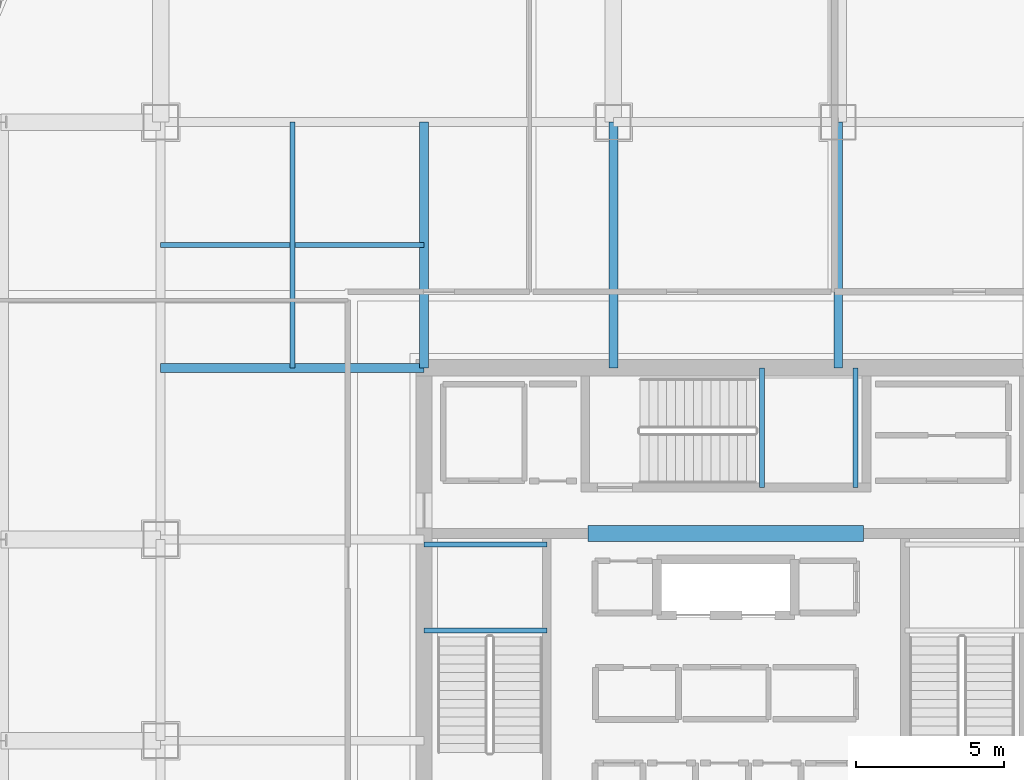
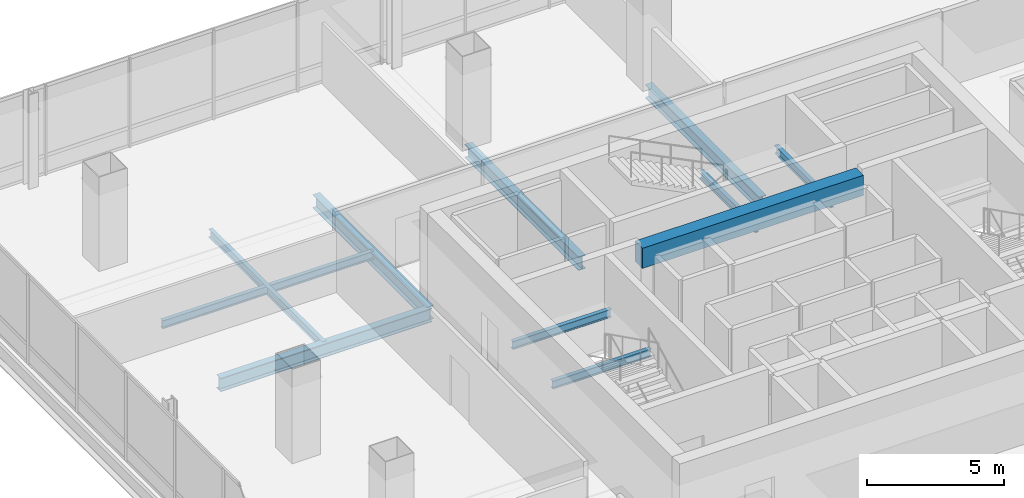
# One storey, part 14 of 41: 11 beams.
"""IFC4 building model written with IfcOpenShell, lengths in metres."""

from ifc_helpers import new_model, si_unit, direction, frame, origin, origin_2d, place, context, subcontext, project, spatial, rectangle, i_section, extrude, material, material_profile, profile_set, type_object, element, save


model = new_model("IFC4")

# Units and contexts
model_context = context("Model", 3, precision=1e-05, world=origin(), true_north=direction((0.0, 1.0)))
body_context = subcontext(model_context, "Body", "Model", "MODEL_VIEW")
ifc_project = project(units=[si_unit("LENGTHUNIT", "METRE"), si_unit("AREAUNIT", "SQUARE_METRE"), si_unit("VOLUMEUNIT", "CUBIC_METRE"), si_unit("PLANEANGLEUNIT", "RADIAN"), si_unit("MASSUNIT", "GRAM", prefix="KILO")], contexts=[model_context])

# Site, building, storey
site_placement = place(None, origin())
site = spatial("IfcSite", under=ifc_project, at=site_placement, CompositionType="ELEMENT")
building_placement = place(site_placement, origin())
building = spatial("IfcBuilding", under=site, at=building_placement, Name="Punatoya Terracotta Tower", CompositionType="ELEMENT")
storey_placement = place(building_placement, frame((0.0, 0.0, 288.0)))
storey = spatial("IfcBuildingStorey", under=building, at=storey_placement, Name="L68", CompositionType="ELEMENT", Elevation=288.0)

# Beams
ifc_material_1 = material(Name="Steel S355", Category="steel")
ifc_material_profile_1 = material_profile(ifc_material_1, i_section(OverallWidth=0.300048828125, OverallDepth=0.60009765625, WebThickness=0.015380859375, FlangeThickness=0.030029296875, FilletRadius=0.01806640625, at=origin_2d()))
ifc_profile_set_1 = profile_set([ifc_material_profile_1], Name="Steel S355")
beam_type_1 = type_object("IfcBeamType", Name="BM-PRI-600", PredefinedType="BEAM", material=ifc_profile_set_1)
beam_1_placement = place(storey_placement, frame((-19.10009765625, 9.199951171875, -0.5), z_axis=(1.0, 0.0, 0.0), x_axis=(0.0, 1.0, 0.0)))
element("IfcBeam", 1, at=beam_1_placement, inside=storey, type_object=beam_type_1, Name="BM-L68-PR-WN", PredefinedType="BEAM", context=body_context, shape_type="SweptSolid", body=[
    extrude(i_section(OverallWidth=0.300048828125, OverallDepth=0.60009765625, WebThickness=0.015380859375, FlangeThickness=0.030029296875, FilletRadius=0.01806640625, at=origin_2d()), origin(), (0.0, 0.0, 1.0), 8.900146484375),
])
for number, where, z_axis, x_axis, name in (
    (2, (-10.199951171875, 9.199951171875, -0.5), (0.0, 1.0, 0.0), (-1.0, 0.0, 0.0), "BM-L68-PR-N1"),
    (3, (-3.800048828125, 9.199951171875, -0.5), (0.0, 1.0, 0.0), (-1.0, 0.0, 0.0), "BM-L68-PR-N2"),
    (4, (3.800048828125, 9.199951171875, -0.5), (0.0, 1.0, 0.0), (-1.0, 0.0, 0.0), "BM-L68-PR-N3"),
):
    element("IfcBeam", number, at=place(storey_placement, frame(where, z_axis=z_axis, x_axis=x_axis)), inside=storey, type_object=beam_type_1, Name=name, PredefinedType="BEAM", context=body_context, shape_type="SweptSolid", body=[
        extrude(i_section(OverallWidth=0.300048828125, OverallDepth=0.60009765625, WebThickness=0.015380859375, FlangeThickness=0.030029296875, FilletRadius=0.01806640625, at=origin_2d()), origin(), (0.0, 0.0, 1.0), 8.300048828125),
    ])
ifc_material_2 = material(Name="Concrete C50/60", Category="concrete")
ifc_material_profile_2 = material_profile(ifc_material_2, rectangle(XDim=0.550048828125, YDim=0.89990234375, at=origin_2d()))
ifc_profile_set_2 = profile_set([ifc_material_profile_2], Name="Concrete C50/60")
beam_type_2 = type_object("IfcBeamType", Name="BM-RC-900", PredefinedType="LINTEL", material=ifc_profile_set_2)
beam_2_placement = place(storey_placement, frame((-4.64990234375, 3.60009765625, 3.550048828125), z_axis=(1.0, 0.0, 0.0), x_axis=(0.0, 1.0, 0.0)))
element("IfcBeam", 5, at=beam_2_placement, inside=storey, type_object=beam_type_2, Name="L68 Core Coupling Lintel CNW", PredefinedType="LINTEL", context=body_context, shape_type="SweptSolid", body=[
    extrude(rectangle(XDim=0.550048828125, YDim=0.89990234375, at=origin_2d()), origin(), (0.0, 0.0, 1.0), 9.2998046875),
])
ifc_material_profile_3 = material_profile(ifc_material_1, i_section(OverallWidth=0.169921875, OverallDepth=0.360107421875, WebThickness=0.008056640625, FlangeThickness=0.0126953125, FilletRadius=0.01806640625, at=origin_2d()))
ifc_profile_set_3 = profile_set([ifc_material_profile_3], Name="Steel S355")
beam_type_3 = type_object("IfcBeamType", Name="BM-SEC-360", PredefinedType="JOIST", material=ifc_profile_set_3)
beam_3_placement = place(storey_placement, frame((-19.10009765625, 13.35009765625, -0.3798828125), z_axis=(1.0, 0.0, 0.0), x_axis=(0.0, 1.0, 0.0)))
element("IfcBeam", 6, at=beam_3_placement, inside=storey, type_object=beam_type_3, Name="BM-L68-SJN-1", PredefinedType="JOIST", context=body_context, shape_type="SweptSolid", body=[
    extrude(i_section(OverallWidth=0.169921875, OverallDepth=0.360107421875, WebThickness=0.008056640625, FlangeThickness=0.0126953125, FilletRadius=0.01806640625, at=origin_2d()), origin(), (0.0, 0.0, 1.0), 8.900146484375),
])
beam_4_placement = place(storey_placement, frame((-14.64990234375, 9.199951171875, -0.3798828125), z_axis=(0.0, 1.0, 0.0), x_axis=(-1.0, 0.0, 0.0)))
element("IfcBeam", 7, at=beam_4_placement, inside=storey, type_object=beam_type_3, Name="BM-L68-SJW-2", PredefinedType="JOIST", context=body_context, shape_type="SweptSolid", body=[
    extrude(i_section(OverallWidth=0.169921875, OverallDepth=0.360107421875, WebThickness=0.008056640625, FlangeThickness=0.0126953125, FilletRadius=0.01806640625, at=origin_2d()), origin(), (0.0, 0.0, 1.0), 8.300048828125),
])
for number, where, z_axis, x_axis, name in (
    (8, (-10.199951171875, 0.320068359375, 1.719970703125), (1.0, 0.0, 0.0), (0.0, 1.0, 0.0), "BM-L68-ST-1-LD1A"),
    (9, (-10.199951171875, 3.22998046875, 1.719970703125), (1.0, 0.0, 0.0), (0.0, 1.0, 0.0), "BM-L68-ST-1-LD1B"),
):
    element("IfcBeam", number, at=place(storey_placement, frame(where, z_axis=z_axis, x_axis=x_axis)), inside=storey, type_object=beam_type_3, Name=name, PredefinedType="JOIST", context=body_context, shape_type="SweptSolid", body=[
        extrude(i_section(OverallWidth=0.169921875, OverallDepth=0.360107421875, WebThickness=0.008056640625, FlangeThickness=0.0126953125, FilletRadius=0.01806640625, at=origin_2d()), origin(), (0.0, 0.0, 1.0), 4.14990234375),
    ])
for number, where, z_axis, x_axis, name in (
    (10, (1.219970703125, 5.14990234375, 1.719970703125), (0.0, 1.0, 0.0), (-1.0, 0.0, 0.0), "BM-L68-ST-3-LD1A"),
    (11, (4.3798828125, 5.14990234375, 1.719970703125), (0.0, 1.0, 0.0), (-1.0, 0.0, 0.0), "BM-L68-ST-3-LD1B"),
):
    element("IfcBeam", number, at=place(storey_placement, frame(where, z_axis=z_axis, x_axis=x_axis)), inside=storey, type_object=beam_type_3, Name=name, PredefinedType="JOIST", context=body_context, shape_type="SweptSolid", body=[
        extrude(i_section(OverallWidth=0.169921875, OverallDepth=0.360107421875, WebThickness=0.008056640625, FlangeThickness=0.0126953125, FilletRadius=0.01806640625, at=origin_2d()), origin(), (0.0, 0.0, 1.0), 4.050048828125),
    ])

save(model, "model.ifc")
